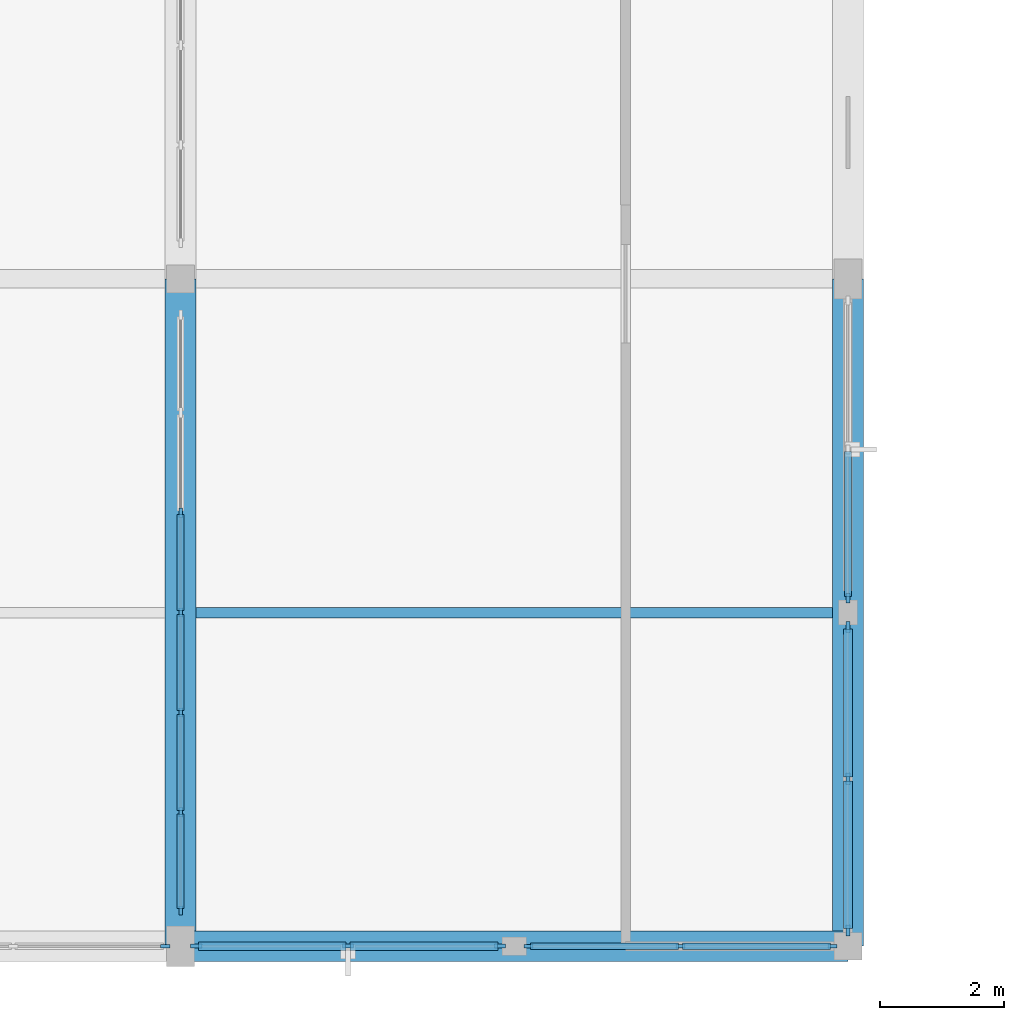
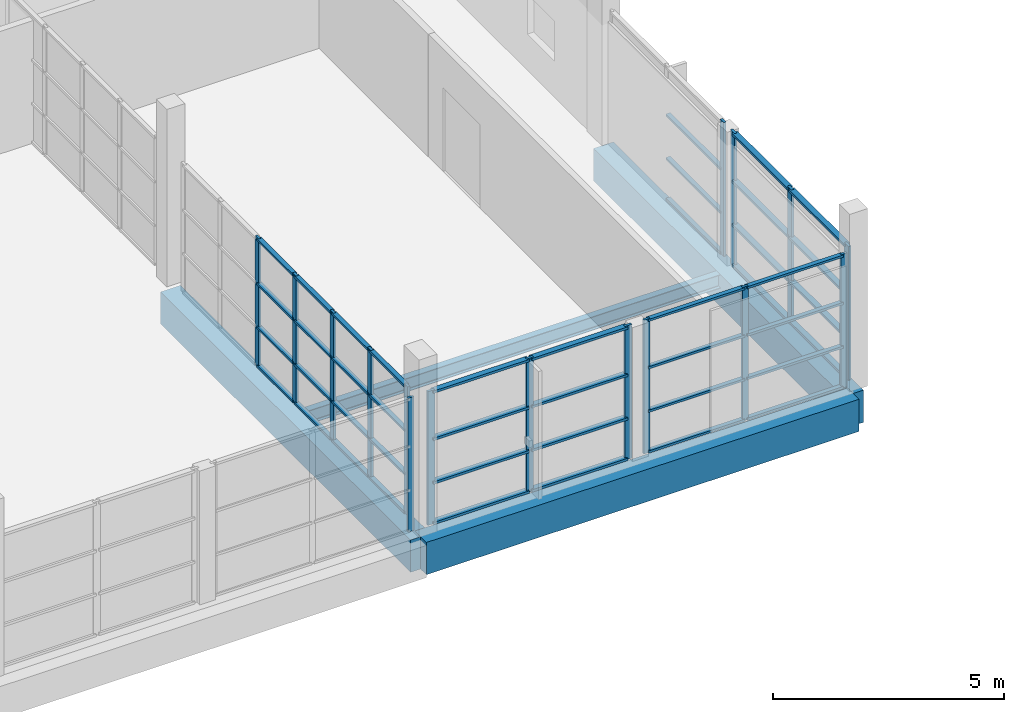
# One storey, part 11 of 142: 59 members, 4 beams, 6 elements without a shape of their own.
"""IFC4 building model written with IfcOpenShell, lengths in metres."""

from ifc_helpers import new_model, si_unit, direction, frame, origin, origin_2d, place, context, subcontext, project, spatial, rectangle, i_section, extrude, material, material_profile, profile_set, type_object, element, aggregate, save


model = new_model("IFC4")

# Units and contexts
model_context = context("Model", 3, precision=1e-05, world=origin(), true_north=direction((0.0, 1.0)))
body_context = subcontext(model_context, "Body", "Model", "MODEL_VIEW")
ifc_project = project(units=[si_unit("LENGTHUNIT", "METRE"), si_unit("AREAUNIT", "SQUARE_METRE"), si_unit("VOLUMEUNIT", "CUBIC_METRE"), si_unit("PLANEANGLEUNIT", "RADIAN"), si_unit("MASSUNIT", "GRAM", prefix="KILO")], contexts=[model_context])

# Site, building, storey
site_placement = place(None, origin())
site = spatial("IfcSite", under=ifc_project, at=site_placement, CompositionType="ELEMENT")
building_placement = place(site_placement, origin())
building = spatial("IfcBuilding", under=site, at=building_placement, Name="Zwinboog Wholesale Market", CompositionType="ELEMENT")
storey_placement = place(building_placement, frame((0.0, 0.0, 5.39990234375)))
storey = spatial("IfcBuildingStorey", under=building, at=storey_placement, Name="L01", CompositionType="ELEMENT", Elevation=5.39990234375)

# Beams
ifc_material_1 = material(Name="Precast concrete C45/55", Category="concrete")
ifc_material_profile_1 = material_profile(ifc_material_1, rectangle(XDim=0.5, YDim=0.85009765625, at=origin_2d()), Name="PC 500x850")
ifc_profile_set_1 = profile_set([ifc_material_profile_1], Name="Precast concrete C45/55")
beam_type_1 = type_object("IfcBeamType", Name="BT-03", PredefinedType="BEAM", material=ifc_profile_set_1)
for number, where, z_axis, x_axis, name in (
    (1, (32.39990234375, 0.0, -0.679931640625), (1.0, 0.0, 0.0), (0.0, 1.0, 0.0), "BG-03 (BMG-L01-0324-0000-0416)"),
    (2, (32.39990234375, 0.0, -0.679931640625), (0.0, 1.0, 0.0), (-1.0, 0.0, 0.0), "BG-03 (BMG-L01-0324-0000-0635)"),
    (3, (43.199951171875, 0.0, -0.679931640625), (0.0, 1.0, 0.0), (-1.0, 0.0, 0.0), "BG-03 (BMG-L01-0432-0000-0647)"),
):
    element("IfcBeam", number, at=place(storey_placement, frame(where, z_axis=z_axis, x_axis=x_axis)), inside=storey, type_object=beam_type_1, Name=name, PredefinedType="BEAM", context=body_context, shape_type="SweptSolid", body=[
        extrude(rectangle(XDim=0.5, YDim=0.85009765625, at=origin_2d()), origin(), (0.0, 0.0, 1.0), 10.800048828125),
    ])
ifc_material_2 = material(Name="Steel S355", Category="steel")
ifc_material_profile_2 = material_profile(ifc_material_2, i_section(OverallWidth=0.169921875, OverallDepth=0.360107421875, WebThickness=0.008056640625, FlangeThickness=0.0126953125, FilletRadius=0.01806640625, at=origin_2d()), Name="IPE 360")
ifc_profile_set_2 = profile_set([ifc_material_profile_2], Name="Steel S355")
beam_type_2 = type_object("IfcBeamType", Name="BT-20", PredefinedType="JOIST", material=ifc_profile_set_2)
beam_placement = place(storey_placement, frame((32.64990234375, 5.39990234375, -0.434814453125), z_axis=(1.0, 0.0, 0.0), x_axis=(0.0, 1.0, 0.0)))
element("IfcBeam", 4, at=beam_placement, inside=storey, type_object=beam_type_2, Name="SJ-03 (BMG-L01-0326-0054-0789)", PredefinedType="JOIST", context=body_context, shape_type="SweptSolid", body=[
    extrude(i_section(OverallWidth=0.169921875, OverallDepth=0.360107421875, WebThickness=0.008056640625, FlangeThickness=0.0126953125, FilletRadius=0.01806640625, at=origin_2d()), origin(), (0.0, 0.0, 1.0), 10.300048828125),
])

# Curtain wall, members
ifc_material_3 = material(Name="Aluminium thermally broken curtain wall", Category="aluminium")
curtain_wall_type_1 = type_object("IfcCurtainWallType", Name="CWT-HALL-24", PredefinedType="USERDEFINED", material=ifc_material_3)
curtain_wall_1_placement = place(storey_placement, origin())
curtain_wall_1 = element("IfcCurtainWall", 5, at=curtain_wall_1_placement, inside=storey, type_object=curtain_wall_type_1, Name="CW-03 (CW-L01-069)", ObjectType="UNITIZED_CURTAIN_WALL", PredefinedType="USERDEFINED")
ifc_material_4 = material(Name="Aluminium EN AW-6060", Category="aluminium")
ifc_material_profile_3 = material_profile(ifc_material_4, rectangle(XDim=0.06494140625, YDim=0.179931640625, at=origin_2d()), Name="AL 65x180")
ifc_profile_set_3 = profile_set([ifc_material_profile_3], Name="Aluminium EN AW-6060")
member_type_1 = type_object("IfcMemberType", Name="CWM-65x180", PredefinedType="MULLION", material=ifc_profile_set_3)
member_1_placement = place(storey_placement, frame((32.652587890625, 0.0, 0.0), z_axis=(0.0, 0.0, 1.0), x_axis=(0.0, 1.0, 0.0)))
member_1 = element("IfcMember", 6, at=member_1_placement, type_object=member_type_1, Name="CW-03 mullion 1", PredefinedType="MULLION", context=body_context, shape_type="SweptSolid", body=[
    extrude(rectangle(XDim=0.06494140625, YDim=0.179931640625, at=origin_2d()), origin(), (0.0, 0.0, 1.0), 3.530029296875),
])
member_2_placement = place(storey_placement, frame((35.110107421875, 0.0, 0.0), z_axis=(0.0, 0.0, 1.0), x_axis=(0.0, 1.0, 0.0)))
member_2 = element("IfcMember", 7, at=member_2_placement, type_object=member_type_1, Name="CW-03 mullion 2", PredefinedType="MULLION", context=body_context, shape_type="SweptSolid", body=[
    extrude(rectangle(XDim=0.06494140625, YDim=0.179931640625, at=origin_2d()), origin(), (0.0, 0.0, 1.0), 3.530029296875),
])
member_3_placement = place(storey_placement, frame((37.5673828125, 0.0, 0.0), z_axis=(0.0, 0.0, 1.0), x_axis=(0.0, 1.0, 0.0)))
member_3 = element("IfcMember", 8, at=member_3_placement, type_object=member_type_1, Name="CW-03 mullion 3", PredefinedType="MULLION", context=body_context, shape_type="SweptSolid", body=[
    extrude(rectangle(XDim=0.06494140625, YDim=0.179931640625, at=origin_2d()), origin(), (0.0, 0.0, 1.0), 3.530029296875),
])

curtain_wall_type_2 = type_object("IfcCurtainWallType", Name="CWT-CAFE-22", PredefinedType="USERDEFINED", material=ifc_material_3)
curtain_wall_2_placement = place(storey_placement, origin())
curtain_wall_2 = element("IfcCurtainWall", 9, at=curtain_wall_2_placement, inside=storey, type_object=curtain_wall_type_2, Name="CW-05 (CW-L01-071)", ObjectType="STOREFRONT_GLAZING", PredefinedType="USERDEFINED")
member_4_placement = place(storey_placement, frame((43.199951171875, 0.25244140625, 0.0), z_axis=(0.0, 0.0, 1.0), x_axis=(-1.0, 0.0, 0.0)))
member_4 = element("IfcMember", 10, at=member_4_placement, type_object=member_type_1, Name="CW-05 mullion 1", PredefinedType="MULLION", context=body_context, shape_type="SweptSolid", body=[
    extrude(rectangle(XDim=0.06494140625, YDim=0.179931640625, at=origin_2d()), origin(), (0.0, 0.0, 1.0), 3.530029296875),
])
member_5_placement = place(storey_placement, frame((43.199951171875, 2.7099609375, 0.0), z_axis=(0.0, 0.0, 1.0), x_axis=(-1.0, 0.0, 0.0)))
member_5 = element("IfcMember", 11, at=member_5_placement, type_object=member_type_1, Name="CW-05 mullion 2", PredefinedType="MULLION", context=body_context, shape_type="SweptSolid", body=[
    extrude(rectangle(XDim=0.06494140625, YDim=0.179931640625, at=origin_2d()), origin(), (0.0, 0.0, 1.0), 3.530029296875),
])
member_6_placement = place(storey_placement, frame((43.199951171875, 5.16748046875, 0.0), z_axis=(0.0, 0.0, 1.0), x_axis=(-1.0, 0.0, 0.0)))
member_6 = element("IfcMember", 12, at=member_6_placement, type_object=member_type_1, Name="CW-05 mullion 3", PredefinedType="MULLION", context=body_context, shape_type="SweptSolid", body=[
    extrude(rectangle(XDim=0.06494140625, YDim=0.179931640625, at=origin_2d()), origin(), (0.0, 0.0, 1.0), 3.530029296875),
])

# Curtain wall, member
curtain_wall_type_3 = type_object("IfcCurtainWallType", Name="CWT-STALL-20", PredefinedType="USERDEFINED", material=ifc_material_3)
curtain_wall_3_placement = place(storey_placement, origin())
curtain_wall_3 = element("IfcCurtainWall", 13, at=curtain_wall_3_placement, inside=storey, type_object=curtain_wall_type_3, Name="CW-02 (CW-L01-068)", ObjectType="STOREFRONT_GLAZING", PredefinedType="USERDEFINED")
ifc_material_profile_4 = material_profile(ifc_material_4, rectangle(XDim=0.06005859375, YDim=0.14990234375, at=origin_2d()), Name="AL 60x150")
ifc_profile_set_4 = profile_set([ifc_material_profile_4], Name="Aluminium EN AW-6060")
member_type_2 = type_object("IfcMemberType", Name="CWM-60x150", PredefinedType="MULLION", material=ifc_profile_set_4)
member_7_placement = place(storey_placement, frame((32.14990234375, 0.0, 0.0), z_axis=(0.0, 0.0, 1.0), x_axis=(0.0, 1.0, 0.0)))
member_7 = element("IfcMember", 14, at=member_7_placement, type_object=member_type_2, Name="CW-02 mullion 3", PredefinedType="MULLION", context=body_context, shape_type="SweptSolid", body=[
    extrude(rectangle(XDim=0.06005859375, YDim=0.14990234375, at=origin_2d()), origin(), (0.0, 0.0, 1.0), 3.530029296875),
])
aggregate(curtain_wall_3, [member_7])

# Curtain wall, members
curtain_wall_type_4 = type_object("IfcCurtainWallType", Name="CWT-GAL-16", PredefinedType="USERDEFINED", material=ifc_material_3)
curtain_wall_4_placement = place(storey_placement, origin())
curtain_wall_4 = element("IfcCurtainWall", 15, at=curtain_wall_4_placement, inside=storey, type_object=curtain_wall_type_4, Name="CW-04 (CW-L01-070)", ObjectType="UNITIZED_CURTAIN_WALL", PredefinedType="USERDEFINED")
member_8_placement = place(storey_placement, frame((38.030029296875, 0.0, 0.0), z_axis=(0.0, 0.0, 1.0), x_axis=(0.0, 1.0, 0.0)))
member_8 = element("IfcMember", 16, at=member_8_placement, type_object=member_type_2, Name="CW-04 mullion 1", PredefinedType="MULLION", context=body_context, shape_type="SweptSolid", body=[
    extrude(rectangle(XDim=0.06005859375, YDim=0.14990234375, at=origin_2d()), origin(), (0.0, 0.0, 1.0), 3.530029296875),
])
member_9_placement = place(storey_placement, frame((40.489990234375, 0.0, 0.0), z_axis=(0.0, 0.0, 1.0), x_axis=(0.0, 1.0, 0.0)))
member_9 = element("IfcMember", 17, at=member_9_placement, type_object=member_type_2, Name="CW-04 mullion 2", PredefinedType="MULLION", context=body_context, shape_type="SweptSolid", body=[
    extrude(rectangle(XDim=0.06005859375, YDim=0.14990234375, at=origin_2d()), origin(), (0.0, 0.0, 1.0), 3.530029296875),
])
member_10_placement = place(storey_placement, frame((42.949951171875, 0.0, 0.0), z_axis=(0.0, 0.0, 1.0), x_axis=(0.0, 1.0, 0.0)))
member_10 = element("IfcMember", 18, at=member_10_placement, type_object=member_type_2, Name="CW-04 mullion 3", PredefinedType="MULLION", context=body_context, shape_type="SweptSolid", body=[
    extrude(rectangle(XDim=0.06005859375, YDim=0.14990234375, at=origin_2d()), origin(), (0.0, 0.0, 1.0), 3.530029296875),
])

# Curtain wall, member
curtain_wall_type_5 = type_object("IfcCurtainWallType", Name="CWT-OFF-15", PredefinedType="USERDEFINED", material=ifc_material_3)
curtain_wall_5_placement = place(storey_placement, origin())
curtain_wall_5 = element("IfcCurtainWall", 19, at=curtain_wall_5_placement, inside=storey, type_object=curtain_wall_type_5, Name="CW-06 (CW-L01-072)", ObjectType="UNITIZED_CURTAIN_WALL", PredefinedType="USERDEFINED")
member_11_placement = place(storey_placement, frame((43.199951171875, 5.6298828125, 0.0), z_axis=(0.0, 0.0, 1.0), x_axis=(-1.0, 0.0, 0.0)))
member_11 = element("IfcMember", 20, at=member_11_placement, type_object=member_type_2, Name="CW-06 mullion 1", PredefinedType="MULLION", context=body_context, shape_type="SweptSolid", body=[
    extrude(rectangle(XDim=0.06005859375, YDim=0.14990234375, at=origin_2d()), origin(), (0.0, 0.0, 1.0), 3.530029296875),
])

# Member
ifc_material_profile_5 = material_profile(ifc_material_4, rectangle(XDim=0.139892578125, YDim=0.06494140625, at=origin_2d()), Name="AL 65x140")
ifc_profile_set_5 = profile_set([ifc_material_profile_5], Name="Aluminium EN AW-6060")
member_type_3 = type_object("IfcMemberType", Name="CWT-65x140", PredefinedType="USERDEFINED", material=ifc_profile_set_5)
member_12_placement = place(storey_placement, frame((32.68505859375, 0.0, 0.03271484375), z_axis=(1.0, 0.0, 0.0), x_axis=(0.0, 1.0, 0.0)))
member_12 = element("IfcMember", 21, at=member_12_placement, type_object=member_type_3, Name="CW-03 transom 1.1", ObjectType="TRANSOM", PredefinedType="USERDEFINED", context=body_context, shape_type="SweptSolid", body=[
    extrude(rectangle(XDim=0.139892578125, YDim=0.06494140625, at=origin_2d()), origin(), (0.0, 0.0, 1.0), 2.392333984375),
])

member_13_placement = place(storey_placement, frame((32.68505859375, 0.0, 1.10009765625), z_axis=(1.0, 0.0, 0.0), x_axis=(0.0, 1.0, 0.0)))
member_13 = element("IfcMember", 22, at=member_13_placement, type_object=member_type_3, Name="CW-03 transom 1.2", ObjectType="TRANSOM", PredefinedType="USERDEFINED", context=body_context, shape_type="SweptSolid", body=[
    extrude(rectangle(XDim=0.139892578125, YDim=0.06494140625, at=origin_2d()), origin(), (0.0, 0.0, 1.0), 2.392333984375),
])

member_14_placement = place(storey_placement, frame((32.68505859375, 0.0, 2.25), z_axis=(1.0, 0.0, 0.0), x_axis=(0.0, 1.0, 0.0)))
member_14 = element("IfcMember", 23, at=member_14_placement, type_object=member_type_3, Name="CW-03 transom 1.3", ObjectType="TRANSOM", PredefinedType="USERDEFINED", context=body_context, shape_type="SweptSolid", body=[
    extrude(rectangle(XDim=0.139892578125, YDim=0.06494140625, at=origin_2d()), origin(), (0.0, 0.0, 1.0), 2.392333984375),
])

member_15_placement = place(storey_placement, frame((32.68505859375, 0.0, 3.49755859375), z_axis=(1.0, 0.0, 0.0), x_axis=(0.0, 1.0, 0.0)))
member_15 = element("IfcMember", 24, at=member_15_placement, type_object=member_type_3, Name="CW-03 transom 1.4", ObjectType="TRANSOM", PredefinedType="USERDEFINED", context=body_context, shape_type="SweptSolid", body=[
    extrude(rectangle(XDim=0.139892578125, YDim=0.06494140625, at=origin_2d()), origin(), (0.0, 0.0, 1.0), 2.392333984375),
])

member_16_placement = place(storey_placement, frame((35.142578125, 0.0, 0.03271484375), z_axis=(1.0, 0.0, 0.0), x_axis=(0.0, 1.0, 0.0)))
member_16 = element("IfcMember", 25, at=member_16_placement, type_object=member_type_3, Name="CW-03 transom 2.1", ObjectType="TRANSOM", PredefinedType="USERDEFINED", context=body_context, shape_type="SweptSolid", body=[
    extrude(rectangle(XDim=0.139892578125, YDim=0.06494140625, at=origin_2d()), origin(), (0.0, 0.0, 1.0), 2.392333984375),
])

member_17_placement = place(storey_placement, frame((35.142578125, 0.0, 1.10009765625), z_axis=(1.0, 0.0, 0.0), x_axis=(0.0, 1.0, 0.0)))
member_17 = element("IfcMember", 26, at=member_17_placement, type_object=member_type_3, Name="CW-03 transom 2.2", ObjectType="TRANSOM", PredefinedType="USERDEFINED", context=body_context, shape_type="SweptSolid", body=[
    extrude(rectangle(XDim=0.139892578125, YDim=0.06494140625, at=origin_2d()), origin(), (0.0, 0.0, 1.0), 2.392333984375),
])

member_18_placement = place(storey_placement, frame((35.142578125, 0.0, 2.25), z_axis=(1.0, 0.0, 0.0), x_axis=(0.0, 1.0, 0.0)))
member_18 = element("IfcMember", 27, at=member_18_placement, type_object=member_type_3, Name="CW-03 transom 2.3", ObjectType="TRANSOM", PredefinedType="USERDEFINED", context=body_context, shape_type="SweptSolid", body=[
    extrude(rectangle(XDim=0.139892578125, YDim=0.06494140625, at=origin_2d()), origin(), (0.0, 0.0, 1.0), 2.392333984375),
])

member_19_placement = place(storey_placement, frame((35.142578125, 0.0, 3.49755859375), z_axis=(1.0, 0.0, 0.0), x_axis=(0.0, 1.0, 0.0)))
member_19 = element("IfcMember", 28, at=member_19_placement, type_object=member_type_3, Name="CW-03 transom 2.4", ObjectType="TRANSOM", PredefinedType="USERDEFINED", context=body_context, shape_type="SweptSolid", body=[
    extrude(rectangle(XDim=0.139892578125, YDim=0.06494140625, at=origin_2d()), origin(), (0.0, 0.0, 1.0), 2.392333984375),
])

aggregate(curtain_wall_1, [member_1, member_2, member_3, member_12, member_13, member_14, member_15, member_16, member_17, member_18, member_19])

member_20_placement = place(storey_placement, frame((43.199951171875, 0.284912109375, 0.03271484375), z_axis=(0.0, 1.0, 0.0), x_axis=(-1.0, 0.0, 0.0)))
member_20 = element("IfcMember", 29, at=member_20_placement, type_object=member_type_3, Name="CW-05 transom 1.1", ObjectType="TRANSOM", PredefinedType="USERDEFINED", context=body_context, shape_type="SweptSolid", body=[
    extrude(rectangle(XDim=0.139892578125, YDim=0.06494140625, at=origin_2d()), origin(), (0.0, 0.0, 1.0), 2.392578125),
])

member_21_placement = place(storey_placement, frame((43.199951171875, 0.284912109375, 1.10009765625), z_axis=(0.0, 1.0, 0.0), x_axis=(-1.0, 0.0, 0.0)))
member_21 = element("IfcMember", 30, at=member_21_placement, type_object=member_type_3, Name="CW-05 transom 1.2", ObjectType="TRANSOM", PredefinedType="USERDEFINED", context=body_context, shape_type="SweptSolid", body=[
    extrude(rectangle(XDim=0.139892578125, YDim=0.06494140625, at=origin_2d()), origin(), (0.0, 0.0, 1.0), 2.392578125),
])

member_22_placement = place(storey_placement, frame((43.199951171875, 0.284912109375, 2.25), z_axis=(0.0, 1.0, 0.0), x_axis=(-1.0, 0.0, 0.0)))
member_22 = element("IfcMember", 31, at=member_22_placement, type_object=member_type_3, Name="CW-05 transom 1.3", ObjectType="TRANSOM", PredefinedType="USERDEFINED", context=body_context, shape_type="SweptSolid", body=[
    extrude(rectangle(XDim=0.139892578125, YDim=0.06494140625, at=origin_2d()), origin(), (0.0, 0.0, 1.0), 2.392578125),
])

member_23_placement = place(storey_placement, frame((43.199951171875, 0.284912109375, 3.49755859375), z_axis=(0.0, 1.0, 0.0), x_axis=(-1.0, 0.0, 0.0)))
member_23 = element("IfcMember", 32, at=member_23_placement, type_object=member_type_3, Name="CW-05 transom 1.4", ObjectType="TRANSOM", PredefinedType="USERDEFINED", context=body_context, shape_type="SweptSolid", body=[
    extrude(rectangle(XDim=0.139892578125, YDim=0.06494140625, at=origin_2d()), origin(), (0.0, 0.0, 1.0), 2.392578125),
])

member_24_placement = place(storey_placement, frame((43.199951171875, 2.742431640625, 0.03271484375), z_axis=(0.0, 1.0, 0.0), x_axis=(-1.0, 0.0, 0.0)))
member_24 = element("IfcMember", 33, at=member_24_placement, type_object=member_type_3, Name="CW-05 transom 2.1", ObjectType="TRANSOM", PredefinedType="USERDEFINED", context=body_context, shape_type="SweptSolid", body=[
    extrude(rectangle(XDim=0.139892578125, YDim=0.06494140625, at=origin_2d()), origin(), (0.0, 0.0, 1.0), 2.392578125),
])

member_25_placement = place(storey_placement, frame((43.199951171875, 2.742431640625, 1.10009765625), z_axis=(0.0, 1.0, 0.0), x_axis=(-1.0, 0.0, 0.0)))
member_25 = element("IfcMember", 34, at=member_25_placement, type_object=member_type_3, Name="CW-05 transom 2.2", ObjectType="TRANSOM", PredefinedType="USERDEFINED", context=body_context, shape_type="SweptSolid", body=[
    extrude(rectangle(XDim=0.139892578125, YDim=0.06494140625, at=origin_2d()), origin(), (0.0, 0.0, 1.0), 2.392578125),
])

member_26_placement = place(storey_placement, frame((43.199951171875, 2.742431640625, 2.25), z_axis=(0.0, 1.0, 0.0), x_axis=(-1.0, 0.0, 0.0)))
member_26 = element("IfcMember", 35, at=member_26_placement, type_object=member_type_3, Name="CW-05 transom 2.3", ObjectType="TRANSOM", PredefinedType="USERDEFINED", context=body_context, shape_type="SweptSolid", body=[
    extrude(rectangle(XDim=0.139892578125, YDim=0.06494140625, at=origin_2d()), origin(), (0.0, 0.0, 1.0), 2.392578125),
])

member_27_placement = place(storey_placement, frame((43.199951171875, 2.742431640625, 3.49755859375), z_axis=(0.0, 1.0, 0.0), x_axis=(-1.0, 0.0, 0.0)))
member_27 = element("IfcMember", 36, at=member_27_placement, type_object=member_type_3, Name="CW-05 transom 2.4", ObjectType="TRANSOM", PredefinedType="USERDEFINED", context=body_context, shape_type="SweptSolid", body=[
    extrude(rectangle(XDim=0.139892578125, YDim=0.06494140625, at=origin_2d()), origin(), (0.0, 0.0, 1.0), 2.392578125),
])

aggregate(curtain_wall_2, [member_4, member_5, member_6, member_20, member_21, member_22, member_23, member_24, member_25, member_26, member_27])

ifc_material_profile_6 = material_profile(ifc_material_4, rectangle(XDim=0.110107421875, YDim=0.06005859375, at=origin_2d()), Name="AL 60x110")
ifc_profile_set_6 = profile_set([ifc_material_profile_6], Name="Aluminium EN AW-6060")
member_type_4 = type_object("IfcMemberType", Name="CWT-60x110", PredefinedType="USERDEFINED", material=ifc_profile_set_6)
member_28_placement = place(storey_placement, frame((38.06005859375, 0.0, 0.030029296875), z_axis=(1.0, 0.0, 0.0), x_axis=(0.0, 1.0, 0.0)))
member_28 = element("IfcMember", 37, at=member_28_placement, type_object=member_type_4, Name="CW-04 transom 1.1", ObjectType="TRANSOM", PredefinedType="USERDEFINED", context=body_context, shape_type="SweptSolid", body=[
    extrude(rectangle(XDim=0.110107421875, YDim=0.06005859375, at=origin_2d()), origin(), (0.0, 0.0, 1.0), 2.39990234375),
])

member_29_placement = place(storey_placement, frame((38.06005859375, 0.0, 1.10009765625), z_axis=(1.0, 0.0, 0.0), x_axis=(0.0, 1.0, 0.0)))
member_29 = element("IfcMember", 38, at=member_29_placement, type_object=member_type_4, Name="CW-04 transom 1.2", ObjectType="TRANSOM", PredefinedType="USERDEFINED", context=body_context, shape_type="SweptSolid", body=[
    extrude(rectangle(XDim=0.110107421875, YDim=0.06005859375, at=origin_2d()), origin(), (0.0, 0.0, 1.0), 2.39990234375),
])

member_30_placement = place(storey_placement, frame((38.06005859375, 0.0, 2.25), z_axis=(1.0, 0.0, 0.0), x_axis=(0.0, 1.0, 0.0)))
member_30 = element("IfcMember", 39, at=member_30_placement, type_object=member_type_4, Name="CW-04 transom 1.3", ObjectType="TRANSOM", PredefinedType="USERDEFINED", context=body_context, shape_type="SweptSolid", body=[
    extrude(rectangle(XDim=0.110107421875, YDim=0.06005859375, at=origin_2d()), origin(), (0.0, 0.0, 1.0), 2.39990234375),
])

member_31_placement = place(storey_placement, frame((38.06005859375, 0.0, 3.5), z_axis=(1.0, 0.0, 0.0), x_axis=(0.0, 1.0, 0.0)))
member_31 = element("IfcMember", 40, at=member_31_placement, type_object=member_type_4, Name="CW-04 transom 1.4", ObjectType="TRANSOM", PredefinedType="USERDEFINED", context=body_context, shape_type="SweptSolid", body=[
    extrude(rectangle(XDim=0.110107421875, YDim=0.06005859375, at=origin_2d()), origin(), (0.0, 0.0, 1.0), 2.39990234375),
])

member_32_placement = place(storey_placement, frame((40.52001953125, 0.0, 0.030029296875), z_axis=(1.0, 0.0, 0.0), x_axis=(0.0, 1.0, 0.0)))
member_32 = element("IfcMember", 41, at=member_32_placement, type_object=member_type_4, Name="CW-04 transom 2.1", ObjectType="TRANSOM", PredefinedType="USERDEFINED", context=body_context, shape_type="SweptSolid", body=[
    extrude(rectangle(XDim=0.110107421875, YDim=0.06005859375, at=origin_2d()), origin(), (0.0, 0.0, 1.0), 2.39990234375),
])

member_33_placement = place(storey_placement, frame((40.52001953125, 0.0, 1.10009765625), z_axis=(1.0, 0.0, 0.0), x_axis=(0.0, 1.0, 0.0)))
member_33 = element("IfcMember", 42, at=member_33_placement, type_object=member_type_4, Name="CW-04 transom 2.2", ObjectType="TRANSOM", PredefinedType="USERDEFINED", context=body_context, shape_type="SweptSolid", body=[
    extrude(rectangle(XDim=0.110107421875, YDim=0.06005859375, at=origin_2d()), origin(), (0.0, 0.0, 1.0), 2.39990234375),
])

member_34_placement = place(storey_placement, frame((40.52001953125, 0.0, 2.25), z_axis=(1.0, 0.0, 0.0), x_axis=(0.0, 1.0, 0.0)))
member_34 = element("IfcMember", 43, at=member_34_placement, type_object=member_type_4, Name="CW-04 transom 2.3", ObjectType="TRANSOM", PredefinedType="USERDEFINED", context=body_context, shape_type="SweptSolid", body=[
    extrude(rectangle(XDim=0.110107421875, YDim=0.06005859375, at=origin_2d()), origin(), (0.0, 0.0, 1.0), 2.39990234375),
])

member_35_placement = place(storey_placement, frame((40.52001953125, 0.0, 3.5), z_axis=(1.0, 0.0, 0.0), x_axis=(0.0, 1.0, 0.0)))
member_35 = element("IfcMember", 44, at=member_35_placement, type_object=member_type_4, Name="CW-04 transom 2.4", ObjectType="TRANSOM", PredefinedType="USERDEFINED", context=body_context, shape_type="SweptSolid", body=[
    extrude(rectangle(XDim=0.110107421875, YDim=0.06005859375, at=origin_2d()), origin(), (0.0, 0.0, 1.0), 2.39990234375),
])

aggregate(curtain_wall_4, [member_8, member_9, member_10, member_28, member_29, member_30, member_31, member_32, member_33, member_34, member_35])

member_36_placement = place(storey_placement, frame((43.199951171875, 5.659912109375, 0.030029296875), z_axis=(0.0, 1.0, 0.0), x_axis=(-1.0, 0.0, 0.0)))
member_36 = element("IfcMember", 45, at=member_36_placement, type_object=member_type_4, Name="CW-06 transom 1.1", ObjectType="TRANSOM", PredefinedType="USERDEFINED", context=body_context, shape_type="SweptSolid", body=[
    extrude(rectangle(XDim=0.110107421875, YDim=0.06005859375, at=origin_2d()), origin(), (0.0, 0.0, 1.0), 2.35009765625),
])

member_37_placement = place(storey_placement, frame((43.199951171875, 5.659912109375, 1.10009765625), z_axis=(0.0, 1.0, 0.0), x_axis=(-1.0, 0.0, 0.0)))
member_37 = element("IfcMember", 46, at=member_37_placement, type_object=member_type_4, Name="CW-06 transom 1.2", ObjectType="TRANSOM", PredefinedType="USERDEFINED", context=body_context, shape_type="SweptSolid", body=[
    extrude(rectangle(XDim=0.110107421875, YDim=0.06005859375, at=origin_2d()), origin(), (0.0, 0.0, 1.0), 2.35009765625),
])

member_38_placement = place(storey_placement, frame((43.199951171875, 5.659912109375, 2.25), z_axis=(0.0, 1.0, 0.0), x_axis=(-1.0, 0.0, 0.0)))
member_38 = element("IfcMember", 47, at=member_38_placement, type_object=member_type_4, Name="CW-06 transom 1.3", ObjectType="TRANSOM", PredefinedType="USERDEFINED", context=body_context, shape_type="SweptSolid", body=[
    extrude(rectangle(XDim=0.110107421875, YDim=0.06005859375, at=origin_2d()), origin(), (0.0, 0.0, 1.0), 2.35009765625),
])

aggregate(curtain_wall_5, [member_11, member_36, member_37, member_38])

# Curtain wall, members
curtain_wall_type_6 = type_object("IfcCurtainWallType", Name="CWT-INT-STALL", PredefinedType="USERDEFINED", material=ifc_material_3)
curtain_wall_6_placement = place(storey_placement, origin())
curtain_wall_6 = element("IfcCurtainWall", 48, at=curtain_wall_6_placement, inside=storey, type_object=curtain_wall_type_6, Name="CW-07 (CW-STL-263)", ObjectType="STOREFRONT_GLAZING", PredefinedType="USERDEFINED")
ifc_material_profile_7 = material_profile(ifc_material_4, rectangle(XDim=0.06005859375, YDim=0.14990234375, at=origin_2d()), Name="AL 60x150")
ifc_profile_set_7 = profile_set([ifc_material_profile_7], Name="Aluminium EN AW-6060")
member_type_5 = type_object("IfcMemberType", Name="CWM-INT-60x120", PredefinedType="MULLION", material=ifc_profile_set_7)
member_39_placement = place(storey_placement, frame((32.39990234375, 0.580078125, 0.0), z_axis=(0.0, 0.0, 1.0), x_axis=(-1.0, 0.0, 0.0)))
member_39 = element("IfcMember", 49, at=member_39_placement, type_object=member_type_5, Name="CW-07 mullion 1", PredefinedType="MULLION", context=body_context, shape_type="SweptSolid", body=[
    extrude(rectangle(XDim=0.06005859375, YDim=0.14990234375, at=origin_2d()), origin(), (0.0, 0.0, 1.0), 3.400146484375),
])
member_40_placement = place(storey_placement, frame((32.39990234375, 2.166748046875, 0.0), z_axis=(0.0, 0.0, 1.0), x_axis=(-1.0, 0.0, 0.0)))
member_40 = element("IfcMember", 50, at=member_40_placement, type_object=member_type_5, Name="CW-07 mullion 2", PredefinedType="MULLION", context=body_context, shape_type="SweptSolid", body=[
    extrude(rectangle(XDim=0.06005859375, YDim=0.14990234375, at=origin_2d()), origin(), (0.0, 0.0, 1.0), 3.400146484375),
])
member_41_placement = place(storey_placement, frame((32.39990234375, 3.783447265625, 0.0), z_axis=(0.0, 0.0, 1.0), x_axis=(-1.0, 0.0, 0.0)))
member_41 = element("IfcMember", 51, at=member_41_placement, type_object=member_type_5, Name="CW-07 mullion 3", PredefinedType="MULLION", context=body_context, shape_type="SweptSolid", body=[
    extrude(rectangle(XDim=0.06005859375, YDim=0.14990234375, at=origin_2d()), origin(), (0.0, 0.0, 1.0), 3.400146484375),
])
member_42_placement = place(storey_placement, frame((32.39990234375, 5.39990234375, 0.0), z_axis=(0.0, 0.0, 1.0), x_axis=(-1.0, 0.0, 0.0)))
member_42 = element("IfcMember", 52, at=member_42_placement, type_object=member_type_5, Name="CW-07 mullion 4", PredefinedType="MULLION", context=body_context, shape_type="SweptSolid", body=[
    extrude(rectangle(XDim=0.06005859375, YDim=0.14990234375, at=origin_2d()), origin(), (0.0, 0.0, 1.0), 3.400146484375),
])
member_43_placement = place(storey_placement, frame((32.39990234375, 7.0166015625, 0.0), z_axis=(0.0, 0.0, 1.0), x_axis=(-1.0, 0.0, 0.0)))
member_43 = element("IfcMember", 53, at=member_43_placement, type_object=member_type_5, Name="CW-07 mullion 5", PredefinedType="MULLION", context=body_context, shape_type="SweptSolid", body=[
    extrude(rectangle(XDim=0.06005859375, YDim=0.14990234375, at=origin_2d()), origin(), (0.0, 0.0, 1.0), 3.400146484375),
])
ifc_material_profile_8 = material_profile(ifc_material_4, rectangle(XDim=0.110107421875, YDim=0.06005859375, at=origin_2d()), Name="AL 60x110")
ifc_profile_set_8 = profile_set([ifc_material_profile_8], Name="Aluminium EN AW-6060")
member_type_6 = type_object("IfcMemberType", Name="CWT-INT-60x100", PredefinedType="USERDEFINED", material=ifc_profile_set_8)
member_44_placement = place(storey_placement, frame((32.39990234375, 0.610107421875, 0.030029296875), z_axis=(0.0, 1.0, 0.0), x_axis=(-1.0, 0.0, 0.0)))
member_44 = element("IfcMember", 54, at=member_44_placement, type_object=member_type_6, Name="CW-07 transom 1.1", ObjectType="TRANSOM", PredefinedType="USERDEFINED", context=body_context, shape_type="SweptSolid", body=[
    extrude(rectangle(XDim=0.110107421875, YDim=0.06005859375, at=origin_2d()), origin(), (0.0, 0.0, 1.0), 1.526611328125),
])
member_45_placement = place(storey_placement, frame((32.39990234375, 0.610107421875, 1.050048828125), z_axis=(0.0, 1.0, 0.0), x_axis=(-1.0, 0.0, 0.0)))
member_45 = element("IfcMember", 55, at=member_45_placement, type_object=member_type_6, Name="CW-07 transom 1.2", ObjectType="TRANSOM", PredefinedType="USERDEFINED", context=body_context, shape_type="SweptSolid", body=[
    extrude(rectangle(XDim=0.110107421875, YDim=0.06005859375, at=origin_2d()), origin(), (0.0, 0.0, 1.0), 1.526611328125),
])
member_46_placement = place(storey_placement, frame((32.39990234375, 0.610107421875, 2.2001953125), z_axis=(0.0, 1.0, 0.0), x_axis=(-1.0, 0.0, 0.0)))
member_46 = element("IfcMember", 56, at=member_46_placement, type_object=member_type_6, Name="CW-07 transom 1.3", ObjectType="TRANSOM", PredefinedType="USERDEFINED", context=body_context, shape_type="SweptSolid", body=[
    extrude(rectangle(XDim=0.110107421875, YDim=0.06005859375, at=origin_2d()), origin(), (0.0, 0.0, 1.0), 1.526611328125),
])
member_47_placement = place(storey_placement, frame((32.39990234375, 0.610107421875, 3.3701171875), z_axis=(0.0, 1.0, 0.0), x_axis=(-1.0, 0.0, 0.0)))
member_47 = element("IfcMember", 57, at=member_47_placement, type_object=member_type_6, Name="CW-07 transom 1.4", ObjectType="TRANSOM", PredefinedType="USERDEFINED", context=body_context, shape_type="SweptSolid", body=[
    extrude(rectangle(XDim=0.110107421875, YDim=0.06005859375, at=origin_2d()), origin(), (0.0, 0.0, 1.0), 1.526611328125),
])
member_48_placement = place(storey_placement, frame((32.39990234375, 2.19677734375, 0.030029296875), z_axis=(0.0, 1.0, 0.0), x_axis=(-1.0, 0.0, 0.0)))
member_48 = element("IfcMember", 58, at=member_48_placement, type_object=member_type_6, Name="CW-07 transom 2.1", ObjectType="TRANSOM", PredefinedType="USERDEFINED", context=body_context, shape_type="SweptSolid", body=[
    extrude(rectangle(XDim=0.110107421875, YDim=0.06005859375, at=origin_2d()), origin(), (0.0, 0.0, 1.0), 1.556640625),
])
member_49_placement = place(storey_placement, frame((32.39990234375, 2.19677734375, 1.050048828125), z_axis=(0.0, 1.0, 0.0), x_axis=(-1.0, 0.0, 0.0)))
member_49 = element("IfcMember", 59, at=member_49_placement, type_object=member_type_6, Name="CW-07 transom 2.2", ObjectType="TRANSOM", PredefinedType="USERDEFINED", context=body_context, shape_type="SweptSolid", body=[
    extrude(rectangle(XDim=0.110107421875, YDim=0.06005859375, at=origin_2d()), origin(), (0.0, 0.0, 1.0), 1.556640625),
])
member_50_placement = place(storey_placement, frame((32.39990234375, 2.19677734375, 2.2001953125), z_axis=(0.0, 1.0, 0.0), x_axis=(-1.0, 0.0, 0.0)))
member_50 = element("IfcMember", 60, at=member_50_placement, type_object=member_type_6, Name="CW-07 transom 2.3", ObjectType="TRANSOM", PredefinedType="USERDEFINED", context=body_context, shape_type="SweptSolid", body=[
    extrude(rectangle(XDim=0.110107421875, YDim=0.06005859375, at=origin_2d()), origin(), (0.0, 0.0, 1.0), 1.556640625),
])
member_51_placement = place(storey_placement, frame((32.39990234375, 2.19677734375, 3.3701171875), z_axis=(0.0, 1.0, 0.0), x_axis=(-1.0, 0.0, 0.0)))
member_51 = element("IfcMember", 61, at=member_51_placement, type_object=member_type_6, Name="CW-07 transom 2.4", ObjectType="TRANSOM", PredefinedType="USERDEFINED", context=body_context, shape_type="SweptSolid", body=[
    extrude(rectangle(XDim=0.110107421875, YDim=0.06005859375, at=origin_2d()), origin(), (0.0, 0.0, 1.0), 1.556640625),
])
member_52_placement = place(storey_placement, frame((32.39990234375, 3.813232421875, 0.030029296875), z_axis=(0.0, 1.0, 0.0), x_axis=(-1.0, 0.0, 0.0)))
member_52 = element("IfcMember", 62, at=member_52_placement, type_object=member_type_6, Name="CW-07 transom 3.1", ObjectType="TRANSOM", PredefinedType="USERDEFINED", context=body_context, shape_type="SweptSolid", body=[
    extrude(rectangle(XDim=0.110107421875, YDim=0.06005859375, at=origin_2d()), origin(), (0.0, 0.0, 1.0), 1.556884765625),
])
member_53_placement = place(storey_placement, frame((32.39990234375, 3.813232421875, 1.050048828125), z_axis=(0.0, 1.0, 0.0), x_axis=(-1.0, 0.0, 0.0)))
member_53 = element("IfcMember", 63, at=member_53_placement, type_object=member_type_6, Name="CW-07 transom 3.2", ObjectType="TRANSOM", PredefinedType="USERDEFINED", context=body_context, shape_type="SweptSolid", body=[
    extrude(rectangle(XDim=0.110107421875, YDim=0.06005859375, at=origin_2d()), origin(), (0.0, 0.0, 1.0), 1.556884765625),
])
member_54_placement = place(storey_placement, frame((32.39990234375, 3.813232421875, 2.2001953125), z_axis=(0.0, 1.0, 0.0), x_axis=(-1.0, 0.0, 0.0)))
member_54 = element("IfcMember", 64, at=member_54_placement, type_object=member_type_6, Name="CW-07 transom 3.3", ObjectType="TRANSOM", PredefinedType="USERDEFINED", context=body_context, shape_type="SweptSolid", body=[
    extrude(rectangle(XDim=0.110107421875, YDim=0.06005859375, at=origin_2d()), origin(), (0.0, 0.0, 1.0), 1.556884765625),
])
member_55_placement = place(storey_placement, frame((32.39990234375, 3.813232421875, 3.3701171875), z_axis=(0.0, 1.0, 0.0), x_axis=(-1.0, 0.0, 0.0)))
member_55 = element("IfcMember", 65, at=member_55_placement, type_object=member_type_6, Name="CW-07 transom 3.4", ObjectType="TRANSOM", PredefinedType="USERDEFINED", context=body_context, shape_type="SweptSolid", body=[
    extrude(rectangle(XDim=0.110107421875, YDim=0.06005859375, at=origin_2d()), origin(), (0.0, 0.0, 1.0), 1.556884765625),
])
member_56_placement = place(storey_placement, frame((32.39990234375, 5.429931640625, 0.030029296875), z_axis=(0.0, 1.0, 0.0), x_axis=(-1.0, 0.0, 0.0)))
member_56 = element("IfcMember", 66, at=member_56_placement, type_object=member_type_6, Name="CW-07 transom 4.1", ObjectType="TRANSOM", PredefinedType="USERDEFINED", context=body_context, shape_type="SweptSolid", body=[
    extrude(rectangle(XDim=0.110107421875, YDim=0.06005859375, at=origin_2d()), origin(), (0.0, 0.0, 1.0), 1.556640625),
])
member_57_placement = place(storey_placement, frame((32.39990234375, 5.429931640625, 1.050048828125), z_axis=(0.0, 1.0, 0.0), x_axis=(-1.0, 0.0, 0.0)))
member_57 = element("IfcMember", 67, at=member_57_placement, type_object=member_type_6, Name="CW-07 transom 4.2", ObjectType="TRANSOM", PredefinedType="USERDEFINED", context=body_context, shape_type="SweptSolid", body=[
    extrude(rectangle(XDim=0.110107421875, YDim=0.06005859375, at=origin_2d()), origin(), (0.0, 0.0, 1.0), 1.556640625),
])
member_58_placement = place(storey_placement, frame((32.39990234375, 5.429931640625, 2.2001953125), z_axis=(0.0, 1.0, 0.0), x_axis=(-1.0, 0.0, 0.0)))
member_58 = element("IfcMember", 68, at=member_58_placement, type_object=member_type_6, Name="CW-07 transom 4.3", ObjectType="TRANSOM", PredefinedType="USERDEFINED", context=body_context, shape_type="SweptSolid", body=[
    extrude(rectangle(XDim=0.110107421875, YDim=0.06005859375, at=origin_2d()), origin(), (0.0, 0.0, 1.0), 1.556640625),
])
member_59_placement = place(storey_placement, frame((32.39990234375, 5.429931640625, 3.3701171875), z_axis=(0.0, 1.0, 0.0), x_axis=(-1.0, 0.0, 0.0)))
member_59 = element("IfcMember", 69, at=member_59_placement, type_object=member_type_6, Name="CW-07 transom 4.4", ObjectType="TRANSOM", PredefinedType="USERDEFINED", context=body_context, shape_type="SweptSolid", body=[
    extrude(rectangle(XDim=0.110107421875, YDim=0.06005859375, at=origin_2d()), origin(), (0.0, 0.0, 1.0), 1.556640625),
])
aggregate(curtain_wall_6, [member_39, member_40, member_41, member_42, member_43, member_44, member_45, member_46, member_47, member_48, member_49, member_50, member_51, member_52, member_53, member_54, member_55, member_56, member_57, member_58, member_59])

save(model, "model.ifc")
